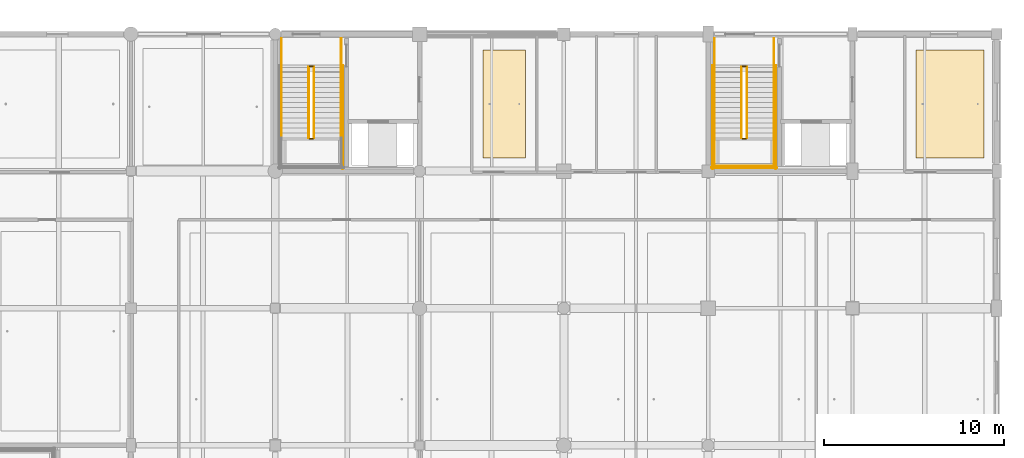
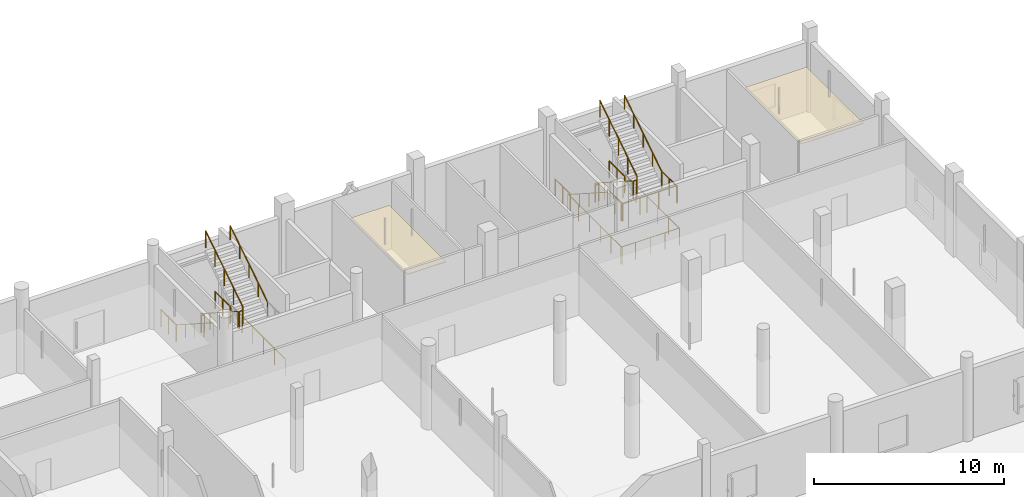
# One storey, part 125 of 126: 23 railings, 2 coverings.
"""IFC4 building model written with IfcOpenShell, lengths in metres."""

from ifc_helpers import new_model, si_unit, direction, frame, origin, origin_2d, place, context, subcontext, project, spatial, polyline, circle, outline, extrude, material, layer, layer_set, type_object, element, save


model = new_model("IFC4")

# Units and contexts
model_context = context("Model", 3, precision=1e-05, world=origin(), true_north=direction((0.0, 1.0)))
body_context = subcontext(model_context, "Body", "Model", "MODEL_VIEW")
ifc_project = project(units=[si_unit("LENGTHUNIT", "METRE"), si_unit("AREAUNIT", "SQUARE_METRE"), si_unit("VOLUMEUNIT", "CUBIC_METRE"), si_unit("PLANEANGLEUNIT", "RADIAN"), si_unit("MASSUNIT", "GRAM", prefix="KILO")], contexts=[model_context])

# Site, building, storey
site_placement = place(None, origin())
site = spatial("IfcSite", under=ifc_project, at=site_placement, CompositionType="ELEMENT")
building_placement = place(site_placement, origin())
building = spatial("IfcBuilding", under=site, at=building_placement, Name="Khelvaren Railside Concert Hall", CompositionType="ELEMENT")
storey_placement = place(building_placement, origin())
storey = spatial("IfcBuildingStorey", under=building, at=storey_placement, Name="L00", CompositionType="ELEMENT", Elevation=0.0)

# Coverings
ifc_material_1 = material(Name="Mineral-wool acoustic baffle ceiling", Category="gypsum")
ifc_layer_1 = layer(ifc_material_1, 0.0400390625)
ifc_layer_set_1 = layer_set([ifc_layer_1], Name="Mineral-wool acoustic baffle ceiling")
covering_type_1 = type_object("IfcCoveringType", Name="CLG20", PredefinedType="CEILING", material=ifc_layer_set_1)
covering_1_placement = place(storey_placement, frame((0.0, 0.0, 3.409912109375)))
element("IfcCovering", 1, at=covering_1_placement, inside=storey, type_object=covering_type_1, Name="Suspended Acoustic Ceiling Backstage Linen Store L00", PredefinedType="CEILING", context=body_context, shape_type="SweptSolid", body=[
    extrude(outline(polyline([(155.530029296875, 107.1298828125), (157.8759765625, 107.1298828125), (157.8759765625, 113.1201171875), (155.530029296875, 113.1201171875), (155.530029296875, 107.1298828125)])), origin(), (0.0, 0.0, 1.0), 0.0400390625),
])
ifc_material_2 = material(Name="Micro-perforated timber acoustic ceiling", Category="wood")
ifc_layer_2 = layer(ifc_material_2, 0.030029296875)
ifc_layer_set_2 = layer_set([ifc_layer_2], Name="Micro-perforated timber acoustic ceiling")
covering_type_2 = type_object("IfcCoveringType", Name="CLG77", PredefinedType="CEILING", material=ifc_layer_set_2)
covering_2_placement = place(storey_placement, frame((0.0, 0.0, 3.419921875)))
element("IfcCovering", 2, at=covering_2_placement, inside=storey, type_object=covering_type_2, Name="Suspended Acoustic Ceiling Ensemble Coaching Suite L00", PredefinedType="CEILING", context=body_context, shape_type="SweptSolid", body=[
    extrude(outline(polyline([(179.530029296875, 107.1298828125), (183.2900390625, 107.1298828125), (183.2900390625, 113.1201171875), (179.530029296875, 113.1201171875), (179.530029296875, 107.1298828125)])), origin(), (0.0, 0.0, 1.0), 0.030029296875),
])

# Railings
ifc_material_3 = material(Name="Painted architectural steel", Category="steel")
railing_type_1 = type_object("IfcRailingType", Name="GRD86", PredefinedType="GUARDRAIL", material=ifc_material_3)
railing_1_placement = place(storey_placement, frame((145.85009765625, 112.159912109375, 0.179931640625)))
element("IfcRailing", 3, at=railing_1_placement, inside=storey, type_object=railing_type_1, Name="L00 ST-09 stair guard 1", PredefinedType="GUARDRAIL", context=body_context, shape_type="SweptSolid", body=[
    extrude(circle(Radius=0.02392578125, at=origin_2d()), frame((0.0, 0.0, 1.076171875), z_axis=(0.0, -0.841171666519, 0.540768182723), x_axis=(1.0, 0.0, 0.0)), (0.0, 0.0, 1.0), 4.66015625),
    extrude(circle(Radius=0.02099609375, at=origin_2d()), origin(), (0.0, 0.0, 1.0), 1.052001953125),
    extrude(circle(Radius=0.02099609375, at=origin_2d()), frame((0.0, -0.97998046875, 0.6298828125)), (0.0, 0.0, 1.0), 1.052001953125),
    extrude(circle(Radius=0.02099609375, at=origin_2d()), frame((0.0, -1.9599609375, 1.260009765625)), (0.0, 0.0, 1.0), 1.052001953125),
    extrude(circle(Radius=0.02099609375, at=origin_2d()), frame((0.0, -2.93994140625, 1.89013671875)), (0.0, 0.0, 1.0), 1.052001953125),
    extrude(circle(Radius=0.02099609375, at=origin_2d()), frame((0.0, -3.919921875, 2.52001953125)), (0.0, 0.0, 1.0), 1.052001953125),
])
railing_2_placement = place(storey_placement, frame((145.89990234375, 108.18994140625, 2.699951171875)))
element("IfcRailing", 4, at=railing_2_placement, inside=storey, type_object=railing_type_1, Name="L00 ST-09 stair guard 2", PredefinedType="GUARDRAIL", context=body_context, shape_type="SweptSolid", body=[
    extrude(circle(Radius=0.02392578125, at=origin_2d()), frame((0.0, 0.0, 1.076171875), z_axis=(1.0, 0.0, 0.0), x_axis=(0.0, 1.0, 0.0)), (0.0, 0.0, 1.0), 0.2001953125),
    extrude(circle(Radius=0.02099609375, at=origin_2d()), origin(), (0.0, 0.0, 1.0), 1.052001953125),
    extrude(circle(Radius=0.02099609375, at=origin_2d()), frame((0.2001953125, 0.0, 0.0)), (0.0, 0.0, 1.0), 1.052001953125),
])
railing_3_placement = place(storey_placement, frame((146.14990234375, 108.239990234375, 2.8798828125)))
element("IfcRailing", 5, at=railing_3_placement, inside=storey, type_object=railing_type_1, Name="L00 ST-09 stair guard 6", PredefinedType="GUARDRAIL", context=body_context, shape_type="SweptSolid", body=[
    extrude(circle(Radius=0.02392578125, at=origin_2d()), frame((0.0, 0.0, 1.076171875), z_axis=(0.0, 0.841171666519, 0.540768182723), x_axis=(-1.0, 0.0, 0.0)), (0.0, 0.0, 1.0), 4.66015625),
    extrude(circle(Radius=0.02099609375, at=origin_2d()), origin(), (0.0, 0.0, 1.0), 1.052001953125),
    extrude(circle(Radius=0.02099609375, at=origin_2d()), frame((0.0, 0.97998046875, 0.6298828125)), (0.0, 0.0, 1.0), 1.052001953125),
    extrude(circle(Radius=0.02099609375, at=origin_2d()), frame((0.0, 1.9599609375, 1.260009765625)), (0.0, 0.0, 1.0), 1.052001953125),
    extrude(circle(Radius=0.02099609375, at=origin_2d()), frame((0.0, 2.93994140625, 1.89013671875)), (0.0, 0.0, 1.0), 1.052001953125),
    extrude(circle(Radius=0.02099609375, at=origin_2d()), frame((0.0, 3.919921875, 2.52001953125)), (0.0, 0.0, 1.0), 1.052001953125),
])
railing_4_placement = place(storey_placement, frame((145.89990234375, 112.2099609375, 0.0)))
element("IfcRailing", 6, at=railing_4_placement, inside=storey, type_object=railing_type_1, Name="L00 ST-09 stair guard 7", PredefinedType="GUARDRAIL", context=body_context, shape_type="SweptSolid", body=[
    extrude(circle(Radius=0.02392578125, at=origin_2d()), frame((0.0, 0.0, 1.076171875), z_axis=(1.0, 0.0, 0.0), x_axis=(0.0, 1.0, 0.0)), (0.0, 0.0, 1.0), 0.2001953125),
    extrude(circle(Radius=0.02099609375, at=origin_2d()), origin(), (0.0, 0.0, 1.0), 1.052001953125),
    extrude(circle(Radius=0.02099609375, at=origin_2d()), frame((0.2001953125, 0.0, 0.0)), (0.0, 0.0, 1.0), 1.052001953125),
])
for number, where, name in (
    (7, (144.35009765625, 113.760009765625, 0.0), "L00 ST-09 stair guard 8"),
    (8, (147.64990234375, 113.760009765625, 0.0), "L00 ST-09 stair guard 9"),
):
    element("IfcRailing", number, at=place(storey_placement, frame(where)), inside=storey, type_object=railing_type_1, Name=name, PredefinedType="GUARDRAIL", context=body_context, shape_type="SweptSolid", body=[
        extrude(circle(Radius=0.02392578125, at=origin_2d()), frame((0.0, 0.0, 1.076171875), z_axis=(0.0, -1.0, 0.0), x_axis=(1.0, 0.0, 0.0)), (0.0, 0.0, 1.0), 1.60009765625),
        extrude(circle(Radius=0.02099609375, at=origin_2d()), origin(), (0.0, 0.0, 1.0), 1.052001953125),
        extrude(circle(Radius=0.02099609375, at=origin_2d()), frame((0.0, -0.800048828125, 0.0)), (0.0, 0.0, 1.0), 1.052001953125),
        extrude(circle(Radius=0.02099609375, at=origin_2d()), frame((0.0, -1.60009765625, 0.0)), (0.0, 0.0, 1.0), 1.052001953125),
    ])
railing_5_placement = place(storey_placement, frame((147.75, 112.260009765625, 0.0)))
element("IfcRailing", 9, at=railing_5_placement, inside=storey, type_object=railing_type_1, Name="L00 ST-09 stair guard 11", PredefinedType="GUARDRAIL", context=body_context, shape_type="SweptSolid", body=[
    extrude(circle(Radius=0.02392578125, at=origin_2d()), frame((0.0, 0.0, 1.076171875), z_axis=(0.0, -1.0, 0.0), x_axis=(1.0, 0.0, 0.0)), (0.0, 0.0, 1.0), 5.719970703125),
    extrude(circle(Radius=0.02099609375, at=origin_2d()), origin(), (0.0, 0.0, 1.0), 1.052001953125),
    extrude(circle(Radius=0.02099609375, at=origin_2d()), frame((0.0, -1.14404296875, 0.0)), (0.0, 0.0, 1.0), 1.052001953125),
    extrude(circle(Radius=0.02099609375, at=origin_2d()), frame((0.0, -2.2880859375, 0.0)), (0.0, 0.0, 1.0), 1.052001953125),
    extrude(circle(Radius=0.02099609375, at=origin_2d()), frame((0.0, -3.431884765625, 0.0)), (0.0, 0.0, 1.0), 1.052001953125),
    extrude(circle(Radius=0.02099609375, at=origin_2d()), frame((0.0, -4.575927734375, 0.0)), (0.0, 0.0, 1.0), 1.052001953125),
    extrude(circle(Radius=0.02099609375, at=origin_2d()), frame((0.0, -5.719970703125, 0.0)), (0.0, 0.0, 1.0), 1.052001953125),
])
railing_6_placement = place(storey_placement, frame((169.85009765625, 112.159912109375, 0.179931640625)))
element("IfcRailing", 10, at=railing_6_placement, inside=storey, type_object=railing_type_1, Name="L00 ST-10 stair guard 1", PredefinedType="GUARDRAIL", context=body_context, shape_type="SweptSolid", body=[
    extrude(circle(Radius=0.02392578125, at=origin_2d()), frame((0.0, 0.0, 1.076171875), z_axis=(0.0, -0.841171666519, 0.540768182723), x_axis=(1.0, 0.0, 0.0)), (0.0, 0.0, 1.0), 4.66015625),
    extrude(circle(Radius=0.02099609375, at=origin_2d()), origin(), (0.0, 0.0, 1.0), 1.052001953125),
    extrude(circle(Radius=0.02099609375, at=origin_2d()), frame((0.0, -0.97998046875, 0.6298828125)), (0.0, 0.0, 1.0), 1.052001953125),
    extrude(circle(Radius=0.02099609375, at=origin_2d()), frame((0.0, -1.9599609375, 1.260009765625)), (0.0, 0.0, 1.0), 1.052001953125),
    extrude(circle(Radius=0.02099609375, at=origin_2d()), frame((0.0, -2.93994140625, 1.89013671875)), (0.0, 0.0, 1.0), 1.052001953125),
    extrude(circle(Radius=0.02099609375, at=origin_2d()), frame((0.0, -3.919921875, 2.52001953125)), (0.0, 0.0, 1.0), 1.052001953125),
])
railing_7_placement = place(storey_placement, frame((169.89990234375, 108.18994140625, 2.699951171875)))
element("IfcRailing", 11, at=railing_7_placement, inside=storey, type_object=railing_type_1, Name="L00 ST-10 stair guard 2", PredefinedType="GUARDRAIL", context=body_context, shape_type="SweptSolid", body=[
    extrude(circle(Radius=0.02392578125, at=origin_2d()), frame((0.0, 0.0, 1.076171875), z_axis=(1.0, 0.0, 0.0), x_axis=(0.0, 1.0, 0.0)), (0.0, 0.0, 1.0), 0.2001953125),
    extrude(circle(Radius=0.02099609375, at=origin_2d()), origin(), (0.0, 0.0, 1.0), 1.052001953125),
    extrude(circle(Radius=0.02099609375, at=origin_2d()), frame((0.2001953125, 0.0, 0.0)), (0.0, 0.0, 1.0), 1.052001953125),
])
for number, where, name in (
    (12, (168.35009765625, 108.239990234375, 2.699951171875), "L00 ST-10 stair guard 3"),
    (13, (171.64990234375, 108.239990234375, 2.699951171875), "L00 ST-10 stair guard 4"),
):
    element("IfcRailing", number, at=place(storey_placement, frame(where)), inside=storey, type_object=railing_type_1, Name=name, PredefinedType="GUARDRAIL", context=body_context, shape_type="SweptSolid", body=[
        extrude(circle(Radius=0.02392578125, at=origin_2d()), frame((0.0, 0.0, 1.076171875), z_axis=(0.0, -1.0, 0.0), x_axis=(1.0, 0.0, 0.0)), (0.0, 0.0, 1.0), 1.60009765625),
        extrude(circle(Radius=0.02099609375, at=origin_2d()), origin(), (0.0, 0.0, 1.0), 1.052001953125),
        extrude(circle(Radius=0.02099609375, at=origin_2d()), frame((0.0, -0.800048828125, 0.0)), (0.0, 0.0, 1.0), 1.052001953125),
        extrude(circle(Radius=0.02099609375, at=origin_2d()), frame((0.0, -1.60009765625, 0.0)), (0.0, 0.0, 1.0), 1.052001953125),
    ])
railing_8_placement = place(storey_placement, frame((168.300048828125, 106.68994140625, 2.699951171875)))
element("IfcRailing", 14, at=railing_8_placement, inside=storey, type_object=railing_type_1, Name="L00 ST-10 stair guard 5", PredefinedType="GUARDRAIL", context=body_context, shape_type="SweptSolid", body=[
    extrude(circle(Radius=0.02392578125, at=origin_2d()), frame((0.0, 0.0, 1.076171875), z_axis=(1.0, 0.0, 0.0), x_axis=(0.0, 1.0, 0.0)), (0.0, 0.0, 1.0), 3.39990234375),
    extrude(circle(Radius=0.02099609375, at=origin_2d()), origin(), (0.0, 0.0, 1.0), 1.052001953125),
    extrude(circle(Radius=0.02099609375, at=origin_2d()), frame((1.13330078125, 0.0, 0.0)), (0.0, 0.0, 1.0), 1.052001953125),
    extrude(circle(Radius=0.02099609375, at=origin_2d()), frame((2.2666015625, 0.0, 0.0)), (0.0, 0.0, 1.0), 1.052001953125),
    extrude(circle(Radius=0.02099609375, at=origin_2d()), frame((3.39990234375, 0.0, 0.0)), (0.0, 0.0, 1.0), 1.052001953125),
])
railing_9_placement = place(storey_placement, frame((170.14990234375, 108.239990234375, 2.8798828125)))
element("IfcRailing", 15, at=railing_9_placement, inside=storey, type_object=railing_type_1, Name="L00 ST-10 stair guard 6", PredefinedType="GUARDRAIL", context=body_context, shape_type="SweptSolid", body=[
    extrude(circle(Radius=0.02392578125, at=origin_2d()), frame((0.0, 0.0, 1.076171875), z_axis=(0.0, 0.841171666519, 0.540768182723), x_axis=(-1.0, 0.0, 0.0)), (0.0, 0.0, 1.0), 4.66015625),
    extrude(circle(Radius=0.02099609375, at=origin_2d()), origin(), (0.0, 0.0, 1.0), 1.052001953125),
    extrude(circle(Radius=0.02099609375, at=origin_2d()), frame((0.0, 0.97998046875, 0.6298828125)), (0.0, 0.0, 1.0), 1.052001953125),
    extrude(circle(Radius=0.02099609375, at=origin_2d()), frame((0.0, 1.9599609375, 1.260009765625)), (0.0, 0.0, 1.0), 1.052001953125),
    extrude(circle(Radius=0.02099609375, at=origin_2d()), frame((0.0, 2.93994140625, 1.89013671875)), (0.0, 0.0, 1.0), 1.052001953125),
    extrude(circle(Radius=0.02099609375, at=origin_2d()), frame((0.0, 3.919921875, 2.52001953125)), (0.0, 0.0, 1.0), 1.052001953125),
])
railing_10_placement = place(storey_placement, frame((169.89990234375, 112.2099609375, 0.0)))
element("IfcRailing", 16, at=railing_10_placement, inside=storey, type_object=railing_type_1, Name="L00 ST-10 stair guard 7", PredefinedType="GUARDRAIL", context=body_context, shape_type="SweptSolid", body=[
    extrude(circle(Radius=0.02392578125, at=origin_2d()), frame((0.0, 0.0, 1.076171875), z_axis=(1.0, 0.0, 0.0), x_axis=(0.0, 1.0, 0.0)), (0.0, 0.0, 1.0), 0.2001953125),
    extrude(circle(Radius=0.02099609375, at=origin_2d()), origin(), (0.0, 0.0, 1.0), 1.052001953125),
    extrude(circle(Radius=0.02099609375, at=origin_2d()), frame((0.2001953125, 0.0, 0.0)), (0.0, 0.0, 1.0), 1.052001953125),
])
for number, where, name in (
    (17, (168.35009765625, 113.760009765625, 0.0), "L00 ST-10 stair guard 8"),
    (18, (171.64990234375, 113.760009765625, 0.0), "L00 ST-10 stair guard 9"),
):
    element("IfcRailing", number, at=place(storey_placement, frame(where)), inside=storey, type_object=railing_type_1, Name=name, PredefinedType="GUARDRAIL", context=body_context, shape_type="SweptSolid", body=[
        extrude(circle(Radius=0.02392578125, at=origin_2d()), frame((0.0, 0.0, 1.076171875), z_axis=(0.0, -1.0, 0.0), x_axis=(1.0, 0.0, 0.0)), (0.0, 0.0, 1.0), 1.60009765625),
        extrude(circle(Radius=0.02099609375, at=origin_2d()), origin(), (0.0, 0.0, 1.0), 1.052001953125),
        extrude(circle(Radius=0.02099609375, at=origin_2d()), frame((0.0, -0.800048828125, 0.0)), (0.0, 0.0, 1.0), 1.052001953125),
        extrude(circle(Radius=0.02099609375, at=origin_2d()), frame((0.0, -1.60009765625, 0.0)), (0.0, 0.0, 1.0), 1.052001953125),
    ])
for number, where, name in (
    (19, (168.25, 112.260009765625, 0.0), "L00 ST-10 stair guard 10"),
    (20, (171.75, 112.260009765625, 0.0), "L00 ST-10 stair guard 11"),
):
    element("IfcRailing", number, at=place(storey_placement, frame(where)), inside=storey, type_object=railing_type_1, Name=name, PredefinedType="GUARDRAIL", context=body_context, shape_type="SweptSolid", body=[
        extrude(circle(Radius=0.02392578125, at=origin_2d()), frame((0.0, 0.0, 1.076171875), z_axis=(0.0, -1.0, 0.0), x_axis=(1.0, 0.0, 0.0)), (0.0, 0.0, 1.0), 5.719970703125),
        extrude(circle(Radius=0.02099609375, at=origin_2d()), origin(), (0.0, 0.0, 1.0), 1.052001953125),
        extrude(circle(Radius=0.02099609375, at=origin_2d()), frame((0.0, -1.14404296875, 0.0)), (0.0, 0.0, 1.0), 1.052001953125),
        extrude(circle(Radius=0.02099609375, at=origin_2d()), frame((0.0, -2.2880859375, 0.0)), (0.0, 0.0, 1.0), 1.052001953125),
        extrude(circle(Radius=0.02099609375, at=origin_2d()), frame((0.0, -3.431884765625, 0.0)), (0.0, 0.0, 1.0), 1.052001953125),
        extrude(circle(Radius=0.02099609375, at=origin_2d()), frame((0.0, -4.575927734375, 0.0)), (0.0, 0.0, 1.0), 1.052001953125),
        extrude(circle(Radius=0.02099609375, at=origin_2d()), frame((0.0, -5.719970703125, 0.0)), (0.0, 0.0, 1.0), 1.052001953125),
    ])
railing_11_placement = place(storey_placement, frame((168.199951171875, 106.590087890625, 0.0)))
element("IfcRailing", 21, at=railing_11_placement, inside=storey, type_object=railing_type_1, Name="L00 ST-10 stair guard 12", PredefinedType="GUARDRAIL", context=body_context, shape_type="SweptSolid", body=[
    extrude(circle(Radius=0.02392578125, at=origin_2d()), frame((0.0, 0.0, 1.076171875), z_axis=(1.0, 0.0, 0.0), x_axis=(0.0, 1.0, 0.0)), (0.0, 0.0, 1.0), 3.60009765625),
    extrude(circle(Radius=0.02099609375, at=origin_2d()), origin(), (0.0, 0.0, 1.0), 1.052001953125),
    extrude(circle(Radius=0.02099609375, at=origin_2d()), frame((0.89990234375, 0.0, 0.0)), (0.0, 0.0, 1.0), 1.052001953125),
    extrude(circle(Radius=0.02099609375, at=origin_2d()), frame((1.800048828125, 0.0, 0.0)), (0.0, 0.0, 1.0), 1.052001953125),
    extrude(circle(Radius=0.02099609375, at=origin_2d()), frame((2.7001953125, 0.0, 0.0)), (0.0, 0.0, 1.0), 1.052001953125),
    extrude(circle(Radius=0.02099609375, at=origin_2d()), frame((3.60009765625, 0.0, 0.0)), (0.0, 0.0, 1.0), 1.052001953125),
])
ifc_material_4 = material(Name="Brushed stainless steel Grade 316", Category="steel")
railing_type_2 = type_object("IfcRailingType", Name="HRL59", PredefinedType="HANDRAIL", material=ifc_material_4)
railing_12_placement = place(storey_placement, frame((144.35009765625, 112.159912109375, 0.179931640625)))
element("IfcRailing", 22, at=railing_12_placement, inside=storey, type_object=railing_type_2, Name="L00 ST-09 stair handrail 1", PredefinedType="HANDRAIL", context=body_context, shape_type="SweptSolid", body=[
    extrude(circle(Radius=0.02392578125, at=origin_2d()), frame((0.0, 0.0, 0.8759765625), z_axis=(0.0, -0.841171666519, 0.540768182723), x_axis=(1.0, 0.0, 0.0)), (0.0, 0.0, 1.0), 4.66015625),
    extrude(circle(Radius=0.02099609375, at=origin_2d()), origin(), (0.0, 0.0, 1.0), 0.851806640625),
    extrude(circle(Radius=0.02099609375, at=origin_2d()), frame((0.0, -0.97998046875, 0.6298828125)), (0.0, 0.0, 1.0), 0.851806640625),
    extrude(circle(Radius=0.02099609375, at=origin_2d()), frame((0.0, -1.9599609375, 1.260009765625)), (0.0, 0.0, 1.0), 0.851806640625),
    extrude(circle(Radius=0.02099609375, at=origin_2d()), frame((0.0, -2.93994140625, 1.89013671875)), (0.0, 0.0, 1.0), 0.851806640625),
    extrude(circle(Radius=0.02099609375, at=origin_2d()), frame((0.0, -3.919921875, 2.52001953125)), (0.0, 0.0, 1.0), 0.851806640625),
])
railing_13_placement = place(storey_placement, frame((147.64990234375, 108.239990234375, 2.8798828125)))
element("IfcRailing", 23, at=railing_13_placement, inside=storey, type_object=railing_type_2, Name="L00 ST-09 stair handrail 2", PredefinedType="HANDRAIL", context=body_context, shape_type="SweptSolid", body=[
    extrude(circle(Radius=0.02392578125, at=origin_2d()), frame((0.0, 0.0, 0.8759765625), z_axis=(0.0, 0.841171666519, 0.540768182723), x_axis=(-1.0, 0.0, 0.0)), (0.0, 0.0, 1.0), 4.66015625),
    extrude(circle(Radius=0.02099609375, at=origin_2d()), origin(), (0.0, 0.0, 1.0), 0.851806640625),
    extrude(circle(Radius=0.02099609375, at=origin_2d()), frame((0.0, 0.97998046875, 0.6298828125)), (0.0, 0.0, 1.0), 0.851806640625),
    extrude(circle(Radius=0.02099609375, at=origin_2d()), frame((0.0, 1.9599609375, 1.260009765625)), (0.0, 0.0, 1.0), 0.851806640625),
    extrude(circle(Radius=0.02099609375, at=origin_2d()), frame((0.0, 2.93994140625, 1.89013671875)), (0.0, 0.0, 1.0), 0.851806640625),
    extrude(circle(Radius=0.02099609375, at=origin_2d()), frame((0.0, 3.919921875, 2.52001953125)), (0.0, 0.0, 1.0), 0.851806640625),
])
railing_14_placement = place(storey_placement, frame((168.35009765625, 112.159912109375, 0.179931640625)))
element("IfcRailing", 24, at=railing_14_placement, inside=storey, type_object=railing_type_2, Name="L00 ST-10 stair handrail 1", PredefinedType="HANDRAIL", context=body_context, shape_type="SweptSolid", body=[
    extrude(circle(Radius=0.02392578125, at=origin_2d()), frame((0.0, 0.0, 0.8759765625), z_axis=(0.0, -0.841171666519, 0.540768182723), x_axis=(1.0, 0.0, 0.0)), (0.0, 0.0, 1.0), 4.66015625),
    extrude(circle(Radius=0.02099609375, at=origin_2d()), origin(), (0.0, 0.0, 1.0), 0.851806640625),
    extrude(circle(Radius=0.02099609375, at=origin_2d()), frame((0.0, -0.97998046875, 0.6298828125)), (0.0, 0.0, 1.0), 0.851806640625),
    extrude(circle(Radius=0.02099609375, at=origin_2d()), frame((0.0, -1.9599609375, 1.260009765625)), (0.0, 0.0, 1.0), 0.851806640625),
    extrude(circle(Radius=0.02099609375, at=origin_2d()), frame((0.0, -2.93994140625, 1.89013671875)), (0.0, 0.0, 1.0), 0.851806640625),
    extrude(circle(Radius=0.02099609375, at=origin_2d()), frame((0.0, -3.919921875, 2.52001953125)), (0.0, 0.0, 1.0), 0.851806640625),
])
railing_15_placement = place(storey_placement, frame((171.64990234375, 108.239990234375, 2.8798828125)))
element("IfcRailing", 25, at=railing_15_placement, inside=storey, type_object=railing_type_2, Name="L00 ST-10 stair handrail 2", PredefinedType="HANDRAIL", context=body_context, shape_type="SweptSolid", body=[
    extrude(circle(Radius=0.02392578125, at=origin_2d()), frame((0.0, 0.0, 0.8759765625), z_axis=(0.0, 0.841171666519, 0.540768182723), x_axis=(-1.0, 0.0, 0.0)), (0.0, 0.0, 1.0), 4.66015625),
    extrude(circle(Radius=0.02099609375, at=origin_2d()), origin(), (0.0, 0.0, 1.0), 0.851806640625),
    extrude(circle(Radius=0.02099609375, at=origin_2d()), frame((0.0, 0.97998046875, 0.6298828125)), (0.0, 0.0, 1.0), 0.851806640625),
    extrude(circle(Radius=0.02099609375, at=origin_2d()), frame((0.0, 1.9599609375, 1.260009765625)), (0.0, 0.0, 1.0), 0.851806640625),
    extrude(circle(Radius=0.02099609375, at=origin_2d()), frame((0.0, 2.93994140625, 1.89013671875)), (0.0, 0.0, 1.0), 0.851806640625),
    extrude(circle(Radius=0.02099609375, at=origin_2d()), frame((0.0, 3.919921875, 2.52001953125)), (0.0, 0.0, 1.0), 0.851806640625),
])

save(model, "model.ifc")
